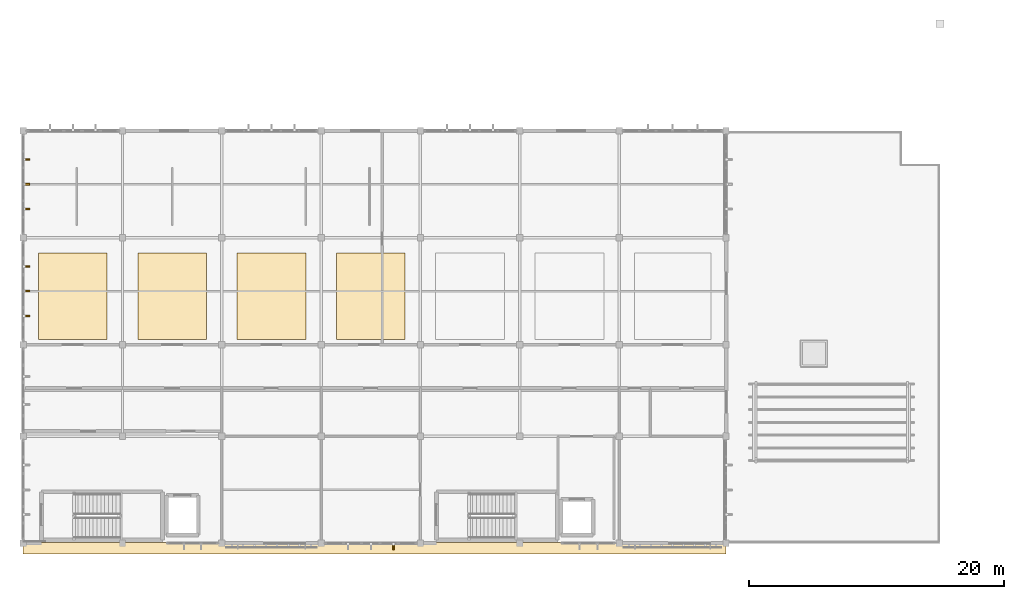
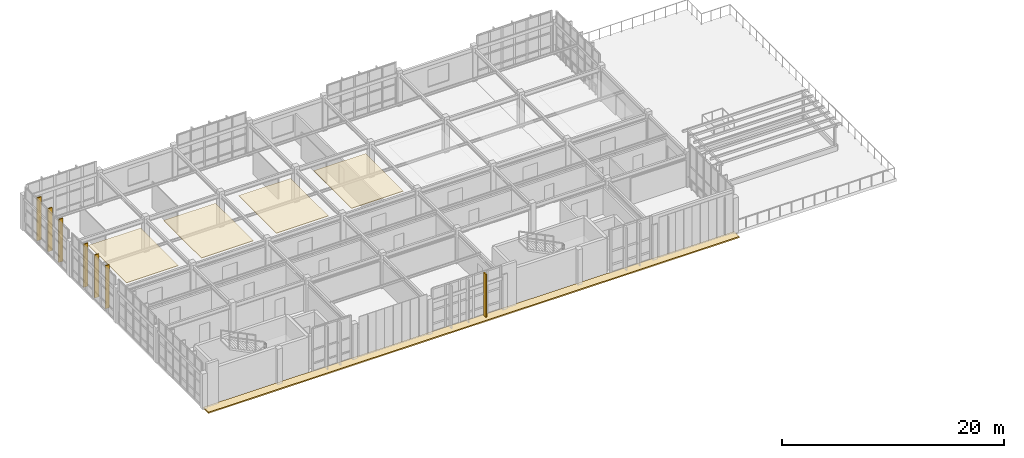
# One storey, part 17 of 20: 12 coverings.
"""IFC4 building model written with IfcOpenShell, lengths in metres."""

from ifc_helpers import new_model, si_unit, direction, frame, origin, origin_2d, place, context, subcontext, project, spatial, polyline, rectangle, outline, extrude, material, layer, layer_set, type_object, element, save


model = new_model("IFC4")

# Units and contexts
model_context = context("Model", 3, precision=1e-05, world=origin(), true_north=direction((0.0, 1.0)))
body_context = subcontext(model_context, "Body", "Model", "MODEL_VIEW")
ifc_project = project(units=[si_unit("LENGTHUNIT", "METRE"), si_unit("AREAUNIT", "SQUARE_METRE"), si_unit("VOLUMEUNIT", "CUBIC_METRE"), si_unit("PLANEANGLEUNIT", "RADIAN"), si_unit("MASSUNIT", "GRAM", prefix="KILO")], contexts=[model_context])

# Site, building, storey
site_placement = place(None, origin())
site = spatial("IfcSite", under=ifc_project, at=site_placement, CompositionType="ELEMENT")
building_placement = place(site_placement, origin())
building = spatial("IfcBuilding", under=site, at=building_placement, Name="Tizgana Railside Sports Hall", CompositionType="ELEMENT")
storey_placement = place(building_placement, frame((0.0, 0.0, 19.800048828125)))
storey = spatial("IfcBuildingStorey", under=building, at=storey_placement, Name="L04", CompositionType="ELEMENT", Elevation=19.800048828125)

# Coverings
ifc_material_1 = material(Name="Glulam GL28h", Category="wood")
ifc_layer_1 = layer(ifc_material_1, 0.139892578125, Name="Glulam GL28h")
ifc_layer_set_1 = layer_set([ifc_layer_1], Name="Glulam GL28h")
covering_type_1 = type_object("IfcCoveringType", Name="Mass-Timber Brise-Soleil & Pergola Fin", PredefinedType="CLADDING", material=ifc_layer_set_1)
for number, where, z_axis, x_axis, name in (
    (1, (36.8974609375, -0.280029296875, 0.0400390625), (0.0, 0.0, 1.0), (-1.0, 0.0, 0.0), "L04 Timber Brise-Soleil Fin"),
    (2, (8.080078125, 21.74755859375, 0.0400390625), (0.0, 0.0, 1.0), (0.0, -1.0, 0.0), "L04 Timber Brise-Soleil Fin"),
    (3, (8.080078125, 19.800048828125, 0.0400390625), (0.0, 0.0, 1.0), (0.0, -1.0, 0.0), "L04 Timber Brise-Soleil Fin"),
    (4, (8.080078125, 17.8525390625, 0.0400390625), (0.0, 0.0, 1.0), (0.0, -1.0, 0.0), "L04 Timber Brise-Soleil Fin"),
    (5, (8.080078125, 30.1474609375, 0.0400390625), (0.0, 0.0, 1.0), (0.0, -1.0, 0.0), "L04 Timber Brise-Soleil Fin"),
    (6, (8.080078125, 28.199951171875, 0.0400390625), (0.0, 0.0, 1.0), (0.0, -1.0, 0.0), "L04 Timber Brise-Soleil Fin"),
    (7, (8.080078125, 26.25244140625, 0.0400390625), (0.0, 0.0, 1.0), (0.0, -1.0, 0.0), "L04 Timber Brise-Soleil Fin"),
):
    element("IfcCovering", number, at=place(storey_placement, frame(where, z_axis=z_axis, x_axis=x_axis)), inside=storey, type_object=covering_type_1, Name=name, PredefinedType="CLADDING", context=body_context, shape_type="SweptSolid", body=[
        extrude(rectangle(XDim=0.1201171875, YDim=0.43994140625, at=origin_2d()), origin(), (0.0, 0.0, 1.0), 4.719970703125),
    ])
ifc_material_2 = material(Name="Acoustic perforated timber", Category="wood")
ifc_layer_2 = layer(ifc_material_2, 0.054931640625, Name="Acoustic perforated timber")
ifc_layer_set_2 = layer_set([ifc_layer_2], Name="Acoustic perforated timber")
covering_type_2 = type_object("IfcCoveringType", Name="Slatted Timber Acoustic Hall Ceiling", PredefinedType="CEILING", material=ifc_layer_set_2)
covering_1_placement = place(storey_placement, frame((0.0, 0.0, 3.550048828125)))
element("IfcCovering", 8, at=covering_1_placement, inside=storey, type_object=covering_type_2, Name="L04 Acoustic Ceiling CLG-0028", PredefinedType="CEILING", context=body_context, shape_type="SweptSolid", body=[
    extrude(outline(polyline([(9.0, 16.0), (14.39990234375, 16.0), (14.39990234375, 22.800048828125), (9.0, 22.800048828125), (9.0, 16.0)])), origin(), (0.0, 0.0, 1.0), 0.054931640625),
])
covering_2_placement = place(storey_placement, frame((0.0, 0.0, 3.550048828125)))
element("IfcCovering", 9, at=covering_2_placement, inside=storey, type_object=covering_type_2, Name="L04 Acoustic Ceiling CLG-0029", PredefinedType="CEILING", context=body_context, shape_type="SweptSolid", body=[
    extrude(outline(polyline([(16.800048828125, 16.0), (22.199951171875, 16.0), (22.199951171875, 22.800048828125), (16.800048828125, 22.800048828125), (16.800048828125, 16.0)])), origin(), (0.0, 0.0, 1.0), 0.054931640625),
])
covering_3_placement = place(storey_placement, frame((0.0, 0.0, 3.550048828125)))
element("IfcCovering", 10, at=covering_3_placement, inside=storey, type_object=covering_type_2, Name="L04 Acoustic Ceiling CLG-0030", PredefinedType="CEILING", context=body_context, shape_type="SweptSolid", body=[
    extrude(outline(polyline([(24.60009765625, 16.0), (30.0, 16.0), (30.0, 22.800048828125), (24.60009765625, 22.800048828125), (24.60009765625, 16.0)])), origin(), (0.0, 0.0, 1.0), 0.054931640625),
])
covering_4_placement = place(storey_placement, frame((0.0, 0.0, 3.550048828125)))
element("IfcCovering", 11, at=covering_4_placement, inside=storey, type_object=covering_type_2, Name="L04 Acoustic Ceiling CLG-0031", PredefinedType="CEILING", context=body_context, shape_type="SweptSolid", body=[
    extrude(outline(polyline([(32.39990234375, 16.0), (37.800048828125, 16.0), (37.800048828125, 22.800048828125), (32.39990234375, 22.800048828125), (32.39990234375, 16.0)])), origin(), (0.0, 0.0, 1.0), 0.054931640625),
])
ifc_material_3 = material(Name="Anodised aluminium roofing", Category="aluminium")
ifc_layer_3 = layer(ifc_material_3, 0.080078125, Name="Anodised aluminium roofing")
ifc_layer_set_3 = layer_set([ifc_layer_3], Name="Anodised aluminium roofing")
covering_type_3 = type_object("IfcCoveringType", Name="Standing-Seam Insulated Vault Roofing", PredefinedType="ROOFING", material=ifc_layer_set_3)
covering_5_placement = place(storey_placement, frame((0.0, 0.0, -0.14013671875)))
element("IfcCovering", 12, at=covering_5_placement, inside=storey, type_object=covering_type_3, Name="L04 South Sun Canopy", PredefinedType="ROOFING", context=body_context, shape_type="SweptSolid", body=[
    extrude(outline(polyline([(7.800048828125, -0.85009765625), (63.0, -0.85009765625), (63.0, 0.080078125), (7.800048828125, 0.080078125), (7.800048828125, -0.85009765625)])), origin(), (0.0, 0.0, 1.0), 0.14013671875),
])

save(model, "model.ifc")
